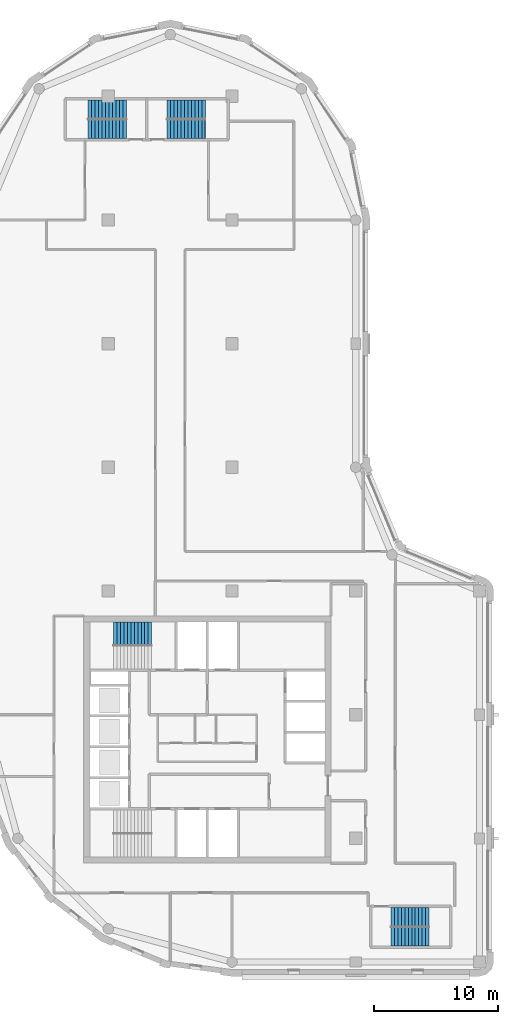
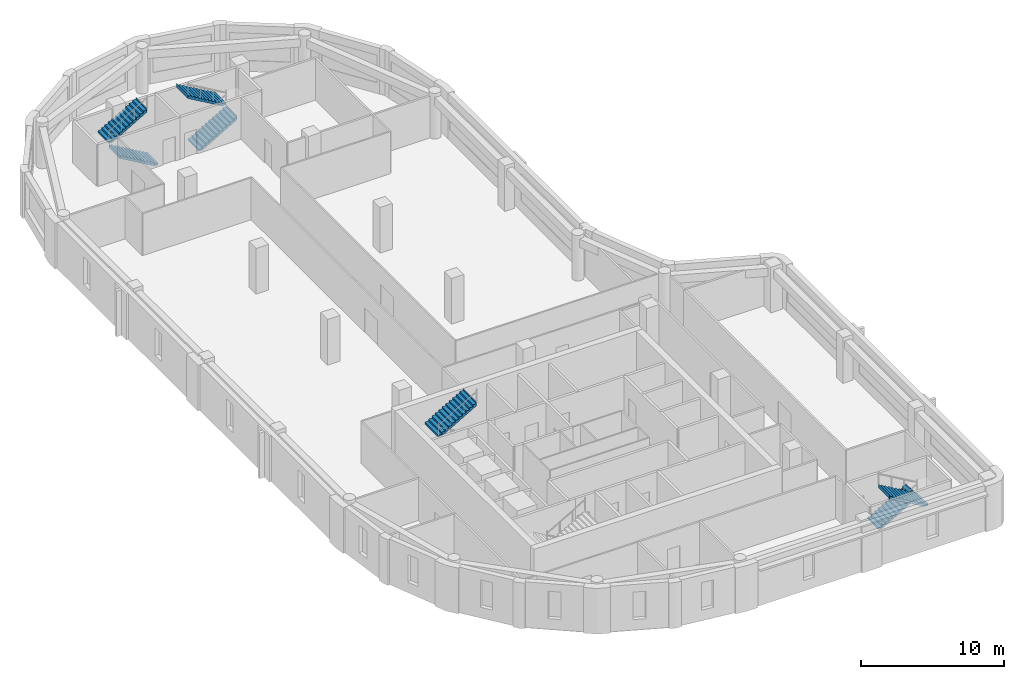
# One storey, part 6 of 8: 7 stair flights, 4 elements without a shape of their own.
"""IFC4 building model written with IfcOpenShell, lengths in metres."""

from ifc_helpers import new_model, si_unit, direction, frame, origin, place, context, subcontext, project, spatial, polyline, outline, extrude, material, type_object, element, aggregate, save


model = new_model("IFC4")

# Units and contexts
model_context = context("Model", 3, precision=1e-05, world=origin(), true_north=direction((0.0, 1.0)))
body_context = subcontext(model_context, "Body", "Model", "MODEL_VIEW")
ifc_project = project(units=[si_unit("LENGTHUNIT", "METRE"), si_unit("AREAUNIT", "SQUARE_METRE"), si_unit("VOLUMEUNIT", "CUBIC_METRE"), si_unit("PLANEANGLEUNIT", "RADIAN"), si_unit("MASSUNIT", "GRAM", prefix="KILO")], contexts=[model_context])

# Site, building, storey
site_placement = place(None, origin())
site = spatial("IfcSite", under=ifc_project, at=site_placement, CompositionType="ELEMENT")
building_placement = place(site_placement, origin())
building = spatial("IfcBuilding", under=site, at=building_placement, Name="Qaws Garden Tower", CompositionType="ELEMENT")
storey_placement = place(building_placement, frame((0.0, 0.0, 282.60009765625)))
storey = spatial("IfcBuildingStorey", under=building, at=storey_placement, Name="L68", CompositionType="ELEMENT", Elevation=282.60009765625)

# Stair, stair flights
ifc_material_1 = material(Name="Concrete C40", Category="concrete")
stair_type_1 = type_object("IfcStairType", Name="Exit stair 1350", PredefinedType="HALF_TURN_STAIR", material=ifc_material_1)
placement = place(storey_placement, origin())
stair_1 = element("IfcStair", 1, at=placement, inside=storey, type_object=stair_type_1, Name="Stair 5", PredefinedType="HALF_TURN_STAIR")
ifc_material_2 = material(Name="Concrete C40", Category="concrete")
stair_flight_type_1 = type_object("IfcStairFlightType", Name="Stair flight 1350", PredefinedType="STRAIGHT", material=ifc_material_2)
stair_flight_1_placement = place(storey_placement, frame((32.85009765625, 3.625, 0.0), z_axis=(0.0, 0.0, 1.0), x_axis=(1.0, 0.0, 0.0)))
stair_flight_1 = element("IfcStairFlight", 2, at=stair_flight_1_placement, type_object=stair_flight_type_1, Name="ST5 flight 1", NumberOfRisers=12, NumberOfTreads=11, PredefinedType="STRAIGHT", RiserHeight=0.1625, TreadLength=0.28, context=body_context, shape_type="SweptSolid", body=[
    extrude(outline(polyline([(-0.0029296875, 0.0), (-0.0029296875, 0.16259765625), (0.0, 0.16259765625), (0.280029296875, 0.16259765625), (0.280029296875, 0.324951171875), (0.56005859375, 0.324951171875), (0.56005859375, 0.487548828125), (0.840087890625, 0.487548828125), (0.840087890625, 0.64990234375), (1.1201171875, 0.64990234375), (1.1201171875, 0.8125), (1.39990234375, 0.8125), (1.39990234375, 0.97509765625), (1.679931640625, 0.97509765625), (1.679931640625, 1.137451171875), (1.9599609375, 1.137451171875), (1.9599609375, 1.300048828125), (2.239990234375, 1.300048828125), (2.239990234375, 1.46240234375), (2.52001953125, 1.46240234375), (2.52001953125, 1.625), (2.800048828125, 1.625), (2.800048828125, 1.78759765625), (3.080078125, 1.78759765625), (3.080078125, 1.949951171875), (3.0830078125, 1.949951171875), (3.0830078125, 1.6142578125), (3.080078125, 1.6142578125), (0.298583984375, 0.0), (-0.0029296875, 0.0)])), frame((0.0, 0.77490234375, 0.0), z_axis=(0.0, -1.0, 0.0), x_axis=(1.0, 0.0, 0.0)), (0.0, 0.0, 1.0), 1.550048828125),
])
stair_flight_2_placement = place(storey_placement, frame((35.929931640625, 2.074951171875, 1.949951171875), z_axis=(0.0, 0.0, 1.0), x_axis=(-1.0, 0.0, 0.0)))
stair_flight_2 = element("IfcStairFlight", 3, at=stair_flight_2_placement, type_object=stair_flight_type_1, Name="ST5 flight 2", NumberOfRisers=12, NumberOfTreads=11, PredefinedType="STRAIGHT", RiserHeight=0.1625, TreadLength=0.28, context=body_context, shape_type="SweptSolid", body=[
    extrude(outline(polyline([(-0.0029296875, 0.0), (-0.0029296875, 0.16259765625), (0.0, 0.16259765625), (0.280029296875, 0.16259765625), (0.280029296875, 0.324951171875), (0.56005859375, 0.324951171875), (0.56005859375, 0.487548828125), (0.840087890625, 0.487548828125), (0.840087890625, 0.64990234375), (1.1201171875, 0.64990234375), (1.1201171875, 0.8125), (1.39990234375, 0.8125), (1.39990234375, 0.97509765625), (1.679931640625, 0.97509765625), (1.679931640625, 1.137451171875), (1.9599609375, 1.137451171875), (1.9599609375, 1.300048828125), (2.239990234375, 1.300048828125), (2.239990234375, 1.46240234375), (2.52001953125, 1.46240234375), (2.52001953125, 1.625), (2.800048828125, 1.625), (2.800048828125, 1.78759765625), (3.080078125, 1.78759765625), (3.080078125, 1.949951171875), (3.0830078125, 1.949951171875), (3.0830078125, 1.6142578125), (3.080078125, 1.6142578125), (0.298583984375, 0.0), (-0.0029296875, 0.0)])), frame((0.0, 0.77490234375, 0.0), z_axis=(0.0, -1.0, 0.0), x_axis=(1.0, 0.0, 0.0)), (0.0, 0.0, 1.0), 1.550048828125),
])
aggregate(stair_1, [stair_flight_1, stair_flight_2])

stair_2 = element("IfcStair", 4, at=placement, inside=storey, type_object=stair_type_1, Name="Stair 6", PredefinedType="HALF_TURN_STAIR")
stair_flight_3_placement = place(storey_placement, frame((11.449951171875, 67.375, 0.0), z_axis=(0.0, 0.0, 1.0), x_axis=(-1.0, 0.0, 0.0)))
stair_flight_3 = element("IfcStairFlight", 5, at=stair_flight_3_placement, type_object=stair_flight_type_1, Name="ST6 flight 1", NumberOfRisers=12, NumberOfTreads=11, PredefinedType="STRAIGHT", RiserHeight=0.1625, TreadLength=0.28, context=body_context, shape_type="SweptSolid", body=[
    extrude(outline(polyline([(-0.0029296875, 0.0), (-0.0029296875, 0.16259765625), (0.0, 0.16259765625), (0.280029296875, 0.16259765625), (0.280029296875, 0.324951171875), (0.56005859375, 0.324951171875), (0.56005859375, 0.487548828125), (0.840087890625, 0.487548828125), (0.840087890625, 0.64990234375), (1.1201171875, 0.64990234375), (1.1201171875, 0.8125), (1.39990234375, 0.8125), (1.39990234375, 0.97509765625), (1.679931640625, 0.97509765625), (1.679931640625, 1.137451171875), (1.9599609375, 1.137451171875), (1.9599609375, 1.300048828125), (2.239990234375, 1.300048828125), (2.239990234375, 1.46240234375), (2.52001953125, 1.46240234375), (2.52001953125, 1.625), (2.800048828125, 1.625), (2.800048828125, 1.78759765625), (3.080078125, 1.78759765625), (3.080078125, 1.949951171875), (3.0830078125, 1.949951171875), (3.0830078125, 1.6142578125), (3.080078125, 1.6142578125), (0.298583984375, 0.0), (-0.0029296875, 0.0)])), frame((0.0, 0.77490234375, 0.0), z_axis=(0.0, -1.0, 0.0), x_axis=(1.0, 0.0, 0.0)), (0.0, 0.0, 1.0), 1.550048828125),
])
stair_flight_4_placement = place(storey_placement, frame((8.3701171875, 68.925048828125, 1.949951171875), z_axis=(0.0, 0.0, 1.0), x_axis=(1.0, 0.0, 0.0)))
stair_flight_4 = element("IfcStairFlight", 6, at=stair_flight_4_placement, type_object=stair_flight_type_1, Name="ST6 flight 2", NumberOfRisers=12, NumberOfTreads=11, PredefinedType="STRAIGHT", RiserHeight=0.1625, TreadLength=0.28, context=body_context, shape_type="SweptSolid", body=[
    extrude(outline(polyline([(-0.0029296875, 0.0), (-0.0029296875, 0.16259765625), (0.0, 0.16259765625), (0.280029296875, 0.16259765625), (0.280029296875, 0.324951171875), (0.56005859375, 0.324951171875), (0.56005859375, 0.487548828125), (0.840087890625, 0.487548828125), (0.840087890625, 0.64990234375), (1.1201171875, 0.64990234375), (1.1201171875, 0.8125), (1.39990234375, 0.8125), (1.39990234375, 0.97509765625), (1.679931640625, 0.97509765625), (1.679931640625, 1.137451171875), (1.9599609375, 1.137451171875), (1.9599609375, 1.300048828125), (2.239990234375, 1.300048828125), (2.239990234375, 1.46240234375), (2.52001953125, 1.46240234375), (2.52001953125, 1.625), (2.800048828125, 1.625), (2.800048828125, 1.78759765625), (3.080078125, 1.78759765625), (3.080078125, 1.949951171875), (3.0830078125, 1.949951171875), (3.0830078125, 1.6142578125), (3.080078125, 1.6142578125), (0.298583984375, 0.0), (-0.0029296875, 0.0)])), frame((0.0, 0.77490234375, 0.0), z_axis=(0.0, -1.0, 0.0), x_axis=(1.0, 0.0, 0.0)), (0.0, 0.0, 1.0), 1.550048828125),
])
aggregate(stair_2, [stair_flight_3, stair_flight_4])

stair_3 = element("IfcStair", 7, at=placement, inside=storey, type_object=stair_type_1, Name="Stair 7", PredefinedType="HALF_TURN_STAIR")
stair_flight_5_placement = place(storey_placement, frame((14.75, 67.375, 0.0), z_axis=(0.0, 0.0, 1.0), x_axis=(1.0, 0.0, 0.0)))
stair_flight_5 = element("IfcStairFlight", 8, at=stair_flight_5_placement, type_object=stair_flight_type_1, Name="ST7 flight 1", NumberOfRisers=12, NumberOfTreads=11, PredefinedType="STRAIGHT", RiserHeight=0.1625, TreadLength=0.28, context=body_context, shape_type="SweptSolid", body=[
    extrude(outline(polyline([(-0.0029296875, 0.0), (-0.0029296875, 0.16259765625), (0.0, 0.16259765625), (0.280029296875, 0.16259765625), (0.280029296875, 0.324951171875), (0.56005859375, 0.324951171875), (0.56005859375, 0.487548828125), (0.840087890625, 0.487548828125), (0.840087890625, 0.64990234375), (1.1201171875, 0.64990234375), (1.1201171875, 0.8125), (1.39990234375, 0.8125), (1.39990234375, 0.97509765625), (1.679931640625, 0.97509765625), (1.679931640625, 1.137451171875), (1.9599609375, 1.137451171875), (1.9599609375, 1.300048828125), (2.239990234375, 1.300048828125), (2.239990234375, 1.46240234375), (2.52001953125, 1.46240234375), (2.52001953125, 1.625), (2.800048828125, 1.625), (2.800048828125, 1.78759765625), (3.080078125, 1.78759765625), (3.080078125, 1.949951171875), (3.0830078125, 1.949951171875), (3.0830078125, 1.6142578125), (3.080078125, 1.6142578125), (0.298583984375, 0.0), (-0.0029296875, 0.0)])), frame((0.0, 0.77490234375, 0.0), z_axis=(0.0, -1.0, 0.0), x_axis=(1.0, 0.0, 0.0)), (0.0, 0.0, 1.0), 1.550048828125),
])
stair_flight_6_placement = place(storey_placement, frame((17.830078125, 68.925048828125, 1.949951171875), z_axis=(0.0, 0.0, 1.0), x_axis=(-1.0, 0.0, 0.0)))
stair_flight_6 = element("IfcStairFlight", 9, at=stair_flight_6_placement, type_object=stair_flight_type_1, Name="ST7 flight 2", NumberOfRisers=12, NumberOfTreads=11, PredefinedType="STRAIGHT", RiserHeight=0.1625, TreadLength=0.28, context=body_context, shape_type="SweptSolid", body=[
    extrude(outline(polyline([(-0.0029296875, 0.0), (-0.0029296875, 0.16259765625), (0.0, 0.16259765625), (0.280029296875, 0.16259765625), (0.280029296875, 0.324951171875), (0.56005859375, 0.324951171875), (0.56005859375, 0.487548828125), (0.840087890625, 0.487548828125), (0.840087890625, 0.64990234375), (1.1201171875, 0.64990234375), (1.1201171875, 0.8125), (1.39990234375, 0.8125), (1.39990234375, 0.97509765625), (1.679931640625, 0.97509765625), (1.679931640625, 1.137451171875), (1.9599609375, 1.137451171875), (1.9599609375, 1.300048828125), (2.239990234375, 1.300048828125), (2.239990234375, 1.46240234375), (2.52001953125, 1.46240234375), (2.52001953125, 1.625), (2.800048828125, 1.625), (2.800048828125, 1.78759765625), (3.080078125, 1.78759765625), (3.080078125, 1.949951171875), (3.0830078125, 1.949951171875), (3.0830078125, 1.6142578125), (3.080078125, 1.6142578125), (0.298583984375, 0.0), (-0.0029296875, 0.0)])), frame((0.0, 0.77490234375, 0.0), z_axis=(0.0, -1.0, 0.0), x_axis=(1.0, 0.0, 0.0)), (0.0, 0.0, 1.0), 1.550048828125),
])
aggregate(stair_3, [stair_flight_5, stair_flight_6])

# Stair, stair flight
ifc_material_3 = material(Name="Concrete C40", Category="concrete")
stair_type_2 = type_object("IfcStairType", Name="Exit stair 1500", PredefinedType="HALF_TURN_STAIR", material=ifc_material_3)
stair_4 = element("IfcStair", 10, at=placement, inside=storey, type_object=stair_type_2, Name="Stair 4", PredefinedType="HALF_TURN_STAIR")
ifc_material_4 = material(Name="Concrete C40", Category="concrete")
stair_flight_type_2 = type_object("IfcStairFlightType", Name="Stair flight 1500", PredefinedType="STRAIGHT", material=ifc_material_4)
stair_flight_7_placement = place(storey_placement, frame((10.419921875, 26.550048828125, 1.949951171875), z_axis=(0.0, 0.0, 1.0), x_axis=(1.0, 0.0, 0.0)))
stair_flight_7 = element("IfcStairFlight", 11, at=stair_flight_7_placement, type_object=stair_flight_type_2, Name="ST4 flight 2", NumberOfRisers=12, NumberOfTreads=11, PredefinedType="STRAIGHT", RiserHeight=0.1625, TreadLength=0.28, context=body_context, shape_type="SweptSolid", body=[
    extrude(outline(polyline([(-0.0029296875, 0.0), (-0.0029296875, 0.16259765625), (0.0, 0.16259765625), (0.280029296875, 0.16259765625), (0.280029296875, 0.324951171875), (0.56005859375, 0.324951171875), (0.56005859375, 0.487548828125), (0.840087890625, 0.487548828125), (0.840087890625, 0.64990234375), (1.1201171875, 0.64990234375), (1.1201171875, 0.8125), (1.39990234375, 0.8125), (1.39990234375, 0.97509765625), (1.679931640625, 0.97509765625), (1.679931640625, 1.137451171875), (1.9599609375, 1.137451171875), (1.9599609375, 1.300048828125), (2.239990234375, 1.300048828125), (2.239990234375, 1.46240234375), (2.52001953125, 1.46240234375), (2.52001953125, 1.625), (2.800048828125, 1.625), (2.800048828125, 1.78759765625), (3.080078125, 1.78759765625), (3.080078125, 1.949951171875), (3.0830078125, 1.949951171875), (3.0830078125, 1.6142578125), (3.080078125, 1.6142578125), (0.298583984375, 0.0), (-0.0029296875, 0.0)])), frame((0.0, 0.94482421875, 0.0), z_axis=(0.0, -1.0, 0.0), x_axis=(1.0, 0.0, 0.0)), (0.0, 0.0, 1.0), 1.889892578125),
])
aggregate(stair_4, [stair_flight_7])

save(model, "model.ifc")
